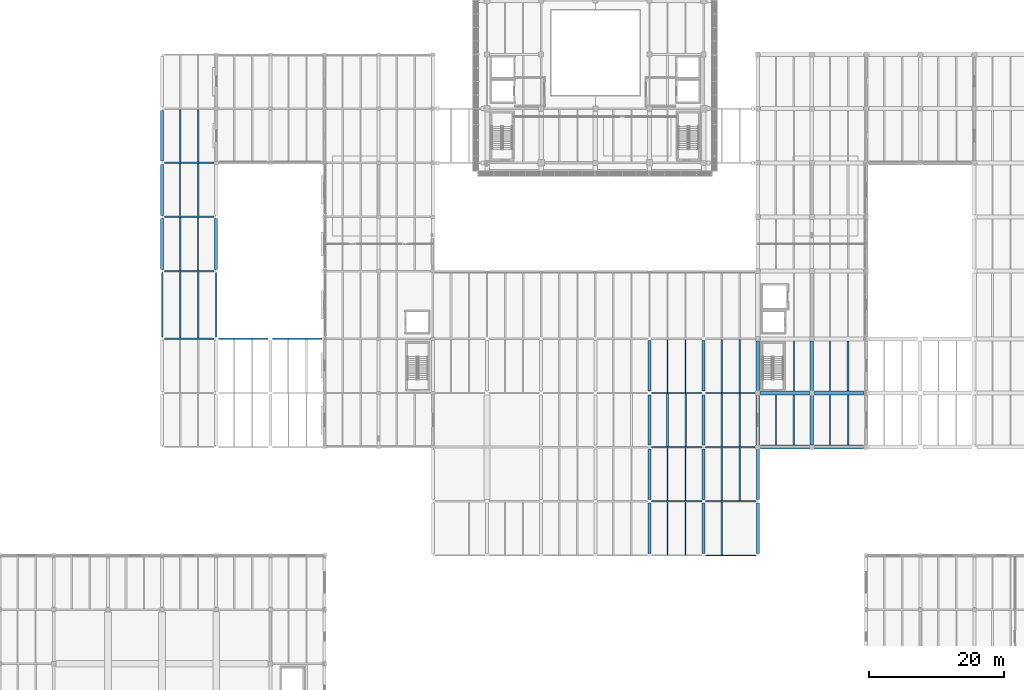
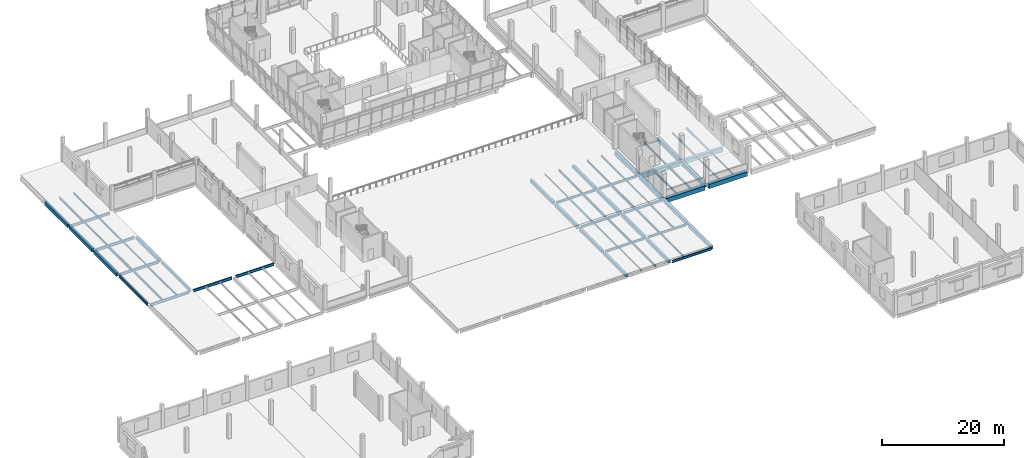
# One storey, part 5 of 52: 67 beams.
"""IFC4 building model written with IfcOpenShell, lengths in metres."""

from ifc_helpers import new_model, si_unit, direction, frame, origin, origin_2d, place, context, subcontext, project, spatial, rectangle, i_section, extrude, material, material_profile, profile_set, type_object, element, save


model = new_model("IFC4")

# Units and contexts
model_context = context("Model", 3, precision=1e-05, world=origin(), true_north=direction((0.0, 1.0)))
body_context = subcontext(model_context, "Body", "Model", "MODEL_VIEW")
ifc_project = project(units=[si_unit("LENGTHUNIT", "METRE"), si_unit("AREAUNIT", "SQUARE_METRE"), si_unit("VOLUMEUNIT", "CUBIC_METRE"), si_unit("PLANEANGLEUNIT", "RADIAN"), si_unit("MASSUNIT", "GRAM", prefix="KILO")], contexts=[model_context])

# Site, building, storey
site_placement = place(None, origin())
site = spatial("IfcSite", under=ifc_project, at=site_placement, CompositionType="ELEMENT")
building_placement = place(site_placement, origin())
building = spatial("IfcBuilding", under=site, at=building_placement, Name="Pecanmere Concourse Central Library", CompositionType="ELEMENT")
storey_placement = place(building_placement, frame((0.0, 0.0, 10.5)))
storey = spatial("IfcBuildingStorey", under=building, at=storey_placement, Name="L03", CompositionType="ELEMENT", Elevation=10.5)

# Beams
ifc_material_1 = material(Name="Concrete C40/50", Category="concrete")
ifc_material_profile_1 = material_profile(ifc_material_1, rectangle(XDim=0.43994140625, YDim=0.6201171875, at=origin_2d()), Name="RC 440x620")
ifc_profile_set_1 = profile_set([ifc_material_profile_1], Name="Concrete C40/50")
beam_type_1 = type_object("IfcBeamType", Name="GRD_440x620", PredefinedType="USERDEFINED", material=ifc_profile_set_1)
for number, where, z_axis, x_axis, name in (
    (1, (24.0, 74.239990234375, -0.64990234375), (0.0, 1.0, 0.0), (-1.0, 0.0, 0.0), "Primary Girder Y L03-1675"),
    (2, (24.0, 82.239990234375, -0.64990234375), (0.0, 1.0, 0.0), (-1.0, 0.0, 0.0), "Primary Girder Y L03-1676"),
    (3, (24.0, 90.239990234375, -0.64990234375), (0.0, 1.0, 0.0), (-1.0, 0.0, 0.0), "Primary Girder Y L03-1677"),
    (4, (32.0, 74.239990234375, -0.64990234375), (0.0, 1.0, 0.0), (-1.0, 0.0, 0.0), "Primary Girder Y L03-1685"),
):
    element("IfcBeam", number, at=place(storey_placement, frame(where, z_axis=z_axis, x_axis=x_axis)), inside=storey, type_object=beam_type_1, Name=name, ObjectType="GIRDER", PredefinedType="USERDEFINED", context=body_context, shape_type="SweptSolid", body=[
        extrude(rectangle(XDim=0.43994140625, YDim=0.6201171875, at=origin_2d()), origin(), (0.0, 0.0, 1.0), 7.52001953125),
    ])
for number, where, z_axis, x_axis, name in (
    (5, (96.0, 32.280029296875, -0.64990234375), (0.0, 1.0, 0.0), (-1.0, 0.0, 0.0), "Primary Girder Y L03-1748"),
    (6, (96.0, 40.280029296875, -0.64990234375), (0.0, 1.0, 0.0), (-1.0, 0.0, 0.0), "Primary Girder Y L03-1749"),
    (7, (96.0, 48.280029296875, -0.64990234375), (0.0, 1.0, 0.0), (-1.0, 0.0, 0.0), "Primary Girder Y L03-1750"),
    (8, (96.0, 56.280029296875, -0.64990234375), (0.0, 1.0, 0.0), (-1.0, 0.0, 0.0), "Primary Girder Y L03-1751"),
    (9, (104.0, 32.280029296875, -0.64990234375), (0.0, 1.0, 0.0), (-1.0, 0.0, 0.0), "Primary Girder Y L03-1757"),
    (10, (104.0, 40.280029296875, -0.64990234375), (0.0, 1.0, 0.0), (-1.0, 0.0, 0.0), "Primary Girder Y L03-1758"),
    (11, (104.0, 48.280029296875, -0.64990234375), (0.0, 1.0, 0.0), (-1.0, 0.0, 0.0), "Primary Girder Y L03-1759"),
    (12, (104.0, 56.280029296875, -0.64990234375), (0.0, 1.0, 0.0), (-1.0, 0.0, 0.0), "Primary Girder Y L03-1760"),
    (13, (112.0, 32.280029296875, -0.64990234375), (0.0, 1.0, 0.0), (-1.0, 0.0, 0.0), "Primary Girder Y L03-1766"),
):
    element("IfcBeam", number, at=place(storey_placement, frame(where, z_axis=z_axis, x_axis=x_axis)), inside=storey, type_object=beam_type_1, Name=name, ObjectType="GIRDER", PredefinedType="USERDEFINED", context=body_context, shape_type="SweptSolid", body=[
        extrude(rectangle(XDim=0.43994140625, YDim=0.6201171875, at=origin_2d()), origin(), (0.0, 0.0, 1.0), 7.43994140625),
    ])
beam_1_placement = place(storey_placement, frame((112.0, 40.280029296875, -0.64990234375), z_axis=(0.0, 1.0, 0.0), x_axis=(-1.0, 0.0, 0.0)))
element("IfcBeam", 14, at=beam_1_placement, inside=storey, type_object=beam_type_1, Name="Primary Girder Y L03-1767", ObjectType="GIRDER", PredefinedType="USERDEFINED", context=body_context, shape_type="SweptSolid", body=[
    extrude(rectangle(XDim=0.43994140625, YDim=0.6201171875, at=origin_2d()), origin(), (0.0, 0.0, 1.0), 7.419921875),
])
ifc_material_2 = material(Name="Concrete C40/50", Category="concrete")
ifc_material_profile_2 = material_profile(ifc_material_2, rectangle(XDim=0.52001953125, YDim=0.77001953125, at=origin_2d()), Name="RC 520x770")
ifc_profile_set_2 = profile_set([ifc_material_profile_2], Name="Concrete C40/50")
beam_type_2 = type_object("IfcBeamType", Name="GRD_520x770", PredefinedType="USERDEFINED", material=ifc_profile_set_2)
for number, where, z_axis, x_axis, name in (
    (15, (112.0, 48.300048828125, -0.72509765625), (0.0, 1.0, 0.0), (-1.0, 0.0, 0.0), "Primary Girder Y L03-1768"),
    (16, (112.0, 56.300048828125, -0.72509765625), (0.0, 1.0, 0.0), (-1.0, 0.0, 0.0), "Primary Girder Y L03-1769"),
    (17, (120.0, 48.300048828125, -0.72509765625), (0.0, 1.0, 0.0), (-1.0, 0.0, 0.0), "Primary Girder Y L03-1775"),
    (18, (120.0, 56.300048828125, -0.72509765625), (0.0, 1.0, 0.0), (-1.0, 0.0, 0.0), "Primary Girder Y L03-1776"),
):
    element("IfcBeam", number, at=place(storey_placement, frame(where, z_axis=z_axis, x_axis=x_axis)), inside=storey, type_object=beam_type_2, Name=name, ObjectType="GIRDER", PredefinedType="USERDEFINED", context=body_context, shape_type="SweptSolid", body=[
        extrude(rectangle(XDim=0.52001953125, YDim=0.77001953125, at=origin_2d()), origin(), (0.0, 0.0, 1.0), 7.39990234375),
    ])
ifc_material_3 = material(Name="Concrete C40/50", Category="concrete")
ifc_material_profile_3 = material_profile(ifc_material_3, rectangle(XDim=0.580078125, YDim=0.860107421875, at=origin_2d()), Name="RC 580x860")
ifc_profile_set_3 = profile_set([ifc_material_profile_3], Name="Concrete C40/50")
beam_type_3 = type_object("IfcBeamType", Name="GRD_580x860", PredefinedType="USERDEFINED", material=ifc_profile_set_3)
for number, where, z_axis, x_axis, name in (
    (19, (112.39990234375, 48.0, -0.77001953125), (1.0, 0.0, 0.0), (0.0, 1.0, 0.0), "Primary Girder X L03-1551"),
    (20, (120.39990234375, 48.0, -0.77001953125), (1.0, 0.0, 0.0), (0.0, 1.0, 0.0), "Primary Girder X L03-1552"),
    (21, (112.39990234375, 56.0, -0.77001953125), (1.0, 0.0, 0.0), (0.0, 1.0, 0.0), "Primary Girder X L03-1567"),
    (22, (120.39990234375, 56.0, -0.77001953125), (1.0, 0.0, 0.0), (0.0, 1.0, 0.0), "Primary Girder X L03-1568"),
):
    element("IfcBeam", number, at=place(storey_placement, frame(where, z_axis=z_axis, x_axis=x_axis)), inside=storey, type_object=beam_type_3, Name=name, ObjectType="GIRDER", PredefinedType="USERDEFINED", context=body_context, shape_type="SweptSolid", body=[
        extrude(rectangle(XDim=0.580078125, YDim=0.860107421875, at=origin_2d()), origin(), (0.0, 0.0, 1.0), 7.2001953125),
    ])
ifc_material_4 = material(Name="Structural steel ASTM A992 Grade 50", Category="steel")
ifc_material_profile_4 = material_profile(ifc_material_4, i_section(OverallWidth=0.152099609375, OverallDepth=0.152099609375, WebThickness=0.005859375, FlangeThickness=0.006591796875, at=origin_2d()), Name="W150x22.5")
ifc_profile_set_4 = profile_set([ifc_material_profile_4], Name="Structural steel ASTM A992 Grade 50")
beam_type_4 = type_object("IfcBeamType", Name="SBM_W150x22", PredefinedType="LINTEL", material=ifc_profile_set_4)
for number, where, z_axis, x_axis, name in (
    (23, (98.666748046875, 32.096923828125, -0.416015625), (0.0, 1.0, 0.0), (-1.0, 0.0, 0.0), "Secondary Floor Joist L03-1978"),
    (24, (98.666748046875, 56.096923828125, -0.416015625), (0.0, 1.0, 0.0), (-1.0, 0.0, 0.0), "Secondary Floor Joist L03-1984"),
):
    element("IfcBeam", number, at=place(storey_placement, frame(where, z_axis=z_axis, x_axis=x_axis)), inside=storey, type_object=beam_type_4, Name=name, PredefinedType="LINTEL", context=body_context, shape_type="SweptSolid", body=[
        extrude(i_section(OverallWidth=0.152099609375, OverallDepth=0.152099609375, WebThickness=0.005859375, FlangeThickness=0.006591796875, at=origin_2d()), origin(), (0.0, 0.0, 1.0), 7.80615234375),
    ])
ifc_material_5 = material(Name="Structural steel ASTM A992 Grade 50", Category="steel")
ifc_material_profile_5 = material_profile(ifc_material_5, i_section(OverallWidth=0.1650390625, OverallDepth=0.200927734375, WebThickness=0.006103515625, FlangeThickness=0.01025390625, at=origin_2d()), Name="W200x35.9")
ifc_profile_set_5 = profile_set([ifc_material_profile_5], Name="Structural steel ASTM A992 Grade 50")
beam_type_5 = type_object("IfcBeamType", Name="SBM_W200x36", PredefinedType="LINTEL", material=ifc_profile_set_5)
beam_2_placement = place(storey_placement, frame((29.333251953125, 74.10546875, -0.4404296875), z_axis=(0.0, 1.0, 0.0), x_axis=(-1.0, 0.0, 0.0)))
element("IfcBeam", 25, at=beam_2_placement, inside=storey, type_object=beam_type_5, Name="Secondary Floor Joist L03-1872", PredefinedType="LINTEL", context=body_context, shape_type="SweptSolid", body=[
    extrude(i_section(OverallWidth=0.1650390625, OverallDepth=0.200927734375, WebThickness=0.006103515625, FlangeThickness=0.01025390625, at=origin_2d()), origin(), (0.0, 0.0, 1.0), 7.7890625),
])
beam_3_placement = place(storey_placement, frame((109.333251953125, 48.096923828125, -0.4404296875), z_axis=(0.0, 1.0, 0.0), x_axis=(-1.0, 0.0, 0.0)))
element("IfcBeam", 26, at=beam_3_placement, inside=storey, type_object=beam_type_5, Name="Secondary Floor Joist L03-1997", PredefinedType="LINTEL", context=body_context, shape_type="SweptSolid", body=[
    extrude(i_section(OverallWidth=0.1650390625, OverallDepth=0.200927734375, WebThickness=0.006103515625, FlangeThickness=0.01025390625, at=origin_2d()), origin(), (0.0, 0.0, 1.0), 7.80615234375),
])
ifc_material_6 = material(Name="Structural steel ASTM A992 Grade 50", Category="steel")
ifc_material_profile_6 = material_profile(ifc_material_6, i_section(OverallWidth=0.2041015625, OverallDepth=0.2060546875, WebThickness=0.0078125, FlangeThickness=0.0126953125, at=origin_2d()), Name="W200x52")
ifc_profile_set_6 = profile_set([ifc_material_profile_6], Name="Structural steel ASTM A992 Grade 50")
beam_type_6 = type_object("IfcBeamType", Name="SBM_W200x52", PredefinedType="JOIST", material=ifc_profile_set_6)
beam_4_placement = place(storey_placement, frame((98.666748046875, 40.096923828125, -0.443115234375), z_axis=(0.0, 1.0, 0.0), x_axis=(-1.0, 0.0, 0.0)))
element("IfcBeam", 27, at=beam_4_placement, inside=storey, type_object=beam_type_6, Name="Secondary Floor Joist L03-1980", PredefinedType="JOIST", context=body_context, shape_type="SweptSolid", body=[
    extrude(i_section(OverallWidth=0.2041015625, OverallDepth=0.2060546875, WebThickness=0.0078125, FlangeThickness=0.0126953125, at=origin_2d()), origin(), (0.0, 0.0, 1.0), 7.80615234375),
])
beam_5_placement = place(storey_placement, frame((125.333251953125, 48.2900390625, -0.443115234375), z_axis=(0.0, 1.0, 0.0), x_axis=(-1.0, 0.0, 0.0)))
element("IfcBeam", 28, at=beam_5_placement, inside=storey, type_object=beam_type_6, Name="Secondary Floor Joist L03-2017", PredefinedType="JOIST", context=body_context, shape_type="SweptSolid", body=[
    extrude(i_section(OverallWidth=0.2041015625, OverallDepth=0.2060546875, WebThickness=0.0078125, FlangeThickness=0.0126953125, at=origin_2d()), origin(), (0.0, 0.0, 1.0), 7.419921875),
])
ifc_material_7 = material(Name="Structural steel ASTM A992 Grade 50", Category="steel")
ifc_material_profile_7 = material_profile(ifc_material_7, i_section(OverallWidth=0.201904296875, OverallDepth=0.2470703125, WebThickness=0.00732421875, FlangeThickness=0.010986328125, at=origin_2d()), Name="W250x49.1")
ifc_profile_set_7 = profile_set([ifc_material_profile_7], Name="Structural steel ASTM A992 Grade 50")
beam_type_7 = type_object("IfcBeamType", Name="SBM_W250x49", PredefinedType="JOIST", material=ifc_profile_set_7)
beam_6_placement = place(storey_placement, frame((29.333251953125, 82.10546875, -0.46337890625), z_axis=(0.0, 1.0, 0.0), x_axis=(-1.0, 0.0, 0.0)))
element("IfcBeam", 29, at=beam_6_placement, inside=storey, type_object=beam_type_7, Name="Secondary Floor Joist L03-1874", PredefinedType="JOIST", context=body_context, shape_type="SweptSolid", body=[
    extrude(i_section(OverallWidth=0.201904296875, OverallDepth=0.2470703125, WebThickness=0.00732421875, FlangeThickness=0.010986328125, at=origin_2d()), origin(), (0.0, 0.0, 1.0), 7.7890625),
])
beam_7_placement = place(storey_placement, frame((109.333251953125, 56.096923828125, -0.46337890625), z_axis=(0.0, 1.0, 0.0), x_axis=(-1.0, 0.0, 0.0)))
element("IfcBeam", 30, at=beam_7_placement, inside=storey, type_object=beam_type_7, Name="Secondary Floor Joist L03-1999", PredefinedType="JOIST", context=body_context, shape_type="SweptSolid", body=[
    extrude(i_section(OverallWidth=0.201904296875, OverallDepth=0.2470703125, WebThickness=0.00732421875, FlangeThickness=0.010986328125, at=origin_2d()), origin(), (0.0, 0.0, 1.0), 7.80615234375),
])
beam_8_placement = place(storey_placement, frame((122.666748046875, 48.2900390625, -0.46337890625), z_axis=(0.0, 1.0, 0.0), x_axis=(-1.0, 0.0, 0.0)))
element("IfcBeam", 31, at=beam_8_placement, inside=storey, type_object=beam_type_7, Name="Secondary Floor Joist L03-2016", PredefinedType="JOIST", context=body_context, shape_type="SweptSolid", body=[
    extrude(i_section(OverallWidth=0.201904296875, OverallDepth=0.2470703125, WebThickness=0.00732421875, FlangeThickness=0.010986328125, at=origin_2d()), origin(), (0.0, 0.0, 1.0), 7.419921875),
])
ifc_material_8 = material(Name="Structural steel ASTM A992 Grade 50", Category="steel")
ifc_material_profile_8 = material_profile(ifc_material_8, i_section(OverallWidth=0.25390625, OverallDepth=0.2529296875, WebThickness=0.008544921875, FlangeThickness=0.01416015625, at=origin_2d()), Name="W250x73")
ifc_profile_set_8 = profile_set([ifc_material_profile_8], Name="Structural steel ASTM A992 Grade 50")
beam_type_8 = type_object("IfcBeamType", Name="SBM_W250x73", PredefinedType="BEAM", material=ifc_profile_set_8)
beam_9_placement = place(storey_placement, frame((98.666748046875, 48.096923828125, -0.466552734375), z_axis=(0.0, 1.0, 0.0), x_axis=(-1.0, 0.0, 0.0)))
element("IfcBeam", 32, at=beam_9_placement, inside=storey, type_object=beam_type_8, Name="Secondary Floor Joist L03-1982", PredefinedType="BEAM", context=body_context, shape_type="SweptSolid", body=[
    extrude(i_section(OverallWidth=0.25390625, OverallDepth=0.2529296875, WebThickness=0.008544921875, FlangeThickness=0.01416015625, at=origin_2d()), origin(), (0.0, 0.0, 1.0), 7.80615234375),
])
beam_10_placement = place(storey_placement, frame((125.333251953125, 56.2900390625, -0.466552734375), z_axis=(0.0, 1.0, 0.0), x_axis=(-1.0, 0.0, 0.0)))
element("IfcBeam", 33, at=beam_10_placement, inside=storey, type_object=beam_type_8, Name="Secondary Floor Joist L03-2019", PredefinedType="BEAM", context=body_context, shape_type="SweptSolid", body=[
    extrude(i_section(OverallWidth=0.25390625, OverallDepth=0.2529296875, WebThickness=0.008544921875, FlangeThickness=0.01416015625, at=origin_2d()), origin(), (0.0, 0.0, 1.0), 7.419921875),
])
ifc_material_9 = material(Name="Structural steel ASTM A992 Grade 50", Category="steel")
ifc_material_profile_9 = material_profile(ifc_material_9, i_section(OverallWidth=0.1669921875, OverallDepth=0.31689453125, WebThickness=0.007568359375, FlangeThickness=0.01318359375, at=origin_2d()), Name="W310x52")
ifc_profile_set_9 = profile_set([ifc_material_profile_9], Name="Structural steel ASTM A992 Grade 50")
beam_type_9 = type_object("IfcBeamType", Name="SBM_W310x52", PredefinedType="JOIST", material=ifc_profile_set_9)
beam_11_placement = place(storey_placement, frame((26.666748046875, 82.10546875, -0.49853515625), z_axis=(0.0, 1.0, 0.0), x_axis=(-1.0, 0.0, 0.0)))
element("IfcBeam", 34, at=beam_11_placement, inside=storey, type_object=beam_type_9, Name="Secondary Floor Joist L03-1873", PredefinedType="JOIST", context=body_context, shape_type="SweptSolid", body=[
    extrude(i_section(OverallWidth=0.1669921875, OverallDepth=0.31689453125, WebThickness=0.007568359375, FlangeThickness=0.01318359375, at=origin_2d()), origin(), (0.0, 0.0, 1.0), 7.7890625),
])
for number, where, z_axis, x_axis, name in (
    (35, (106.666748046875, 32.096923828125, -0.49853515625), (0.0, 1.0, 0.0), (-1.0, 0.0, 0.0), "Secondary Floor Joist L03-1993"),
    (36, (106.666748046875, 56.096923828125, -0.49853515625), (0.0, 1.0, 0.0), (-1.0, 0.0, 0.0), "Secondary Floor Joist L03-1998"),
):
    element("IfcBeam", number, at=place(storey_placement, frame(where, z_axis=z_axis, x_axis=x_axis)), inside=storey, type_object=beam_type_9, Name=name, PredefinedType="JOIST", context=body_context, shape_type="SweptSolid", body=[
        extrude(i_section(OverallWidth=0.1669921875, OverallDepth=0.31689453125, WebThickness=0.007568359375, FlangeThickness=0.01318359375, at=origin_2d()), origin(), (0.0, 0.0, 1.0), 7.80615234375),
    ])
ifc_material_10 = material(Name="Structural steel ASTM A992 Grade 50", Category="steel")
ifc_material_profile_10 = material_profile(ifc_material_10, i_section(OverallWidth=0.205078125, OverallDepth=0.31005859375, WebThickness=0.009521484375, FlangeThickness=0.016357421875, at=origin_2d()), Name="W310x74")
ifc_profile_set_10 = profile_set([ifc_material_profile_10], Name="Structural steel ASTM A992 Grade 50")
beam_type_10 = type_object("IfcBeamType", Name="SBM_W310x74", PredefinedType="BEAM", material=ifc_profile_set_10)
beam_12_placement = place(storey_placement, frame((29.333251953125, 64.10546875, -0.4951171875), z_axis=(0.0, 1.0, 0.0), x_axis=(-1.0, 0.0, 0.0)))
element("IfcBeam", 37, at=beam_12_placement, inside=storey, type_object=beam_type_10, Name="Secondary Floor Joist L03-1870", PredefinedType="BEAM", context=body_context, shape_type="SweptSolid", body=[
    extrude(i_section(OverallWidth=0.205078125, OverallDepth=0.31005859375, WebThickness=0.009521484375, FlangeThickness=0.016357421875, at=origin_2d()), origin(), (0.0, 0.0, 1.0), 9.7890625),
])
beam_13_placement = place(storey_placement, frame((29.333251953125, 90.10546875, -0.4951171875), z_axis=(0.0, 1.0, 0.0), x_axis=(-1.0, 0.0, 0.0)))
element("IfcBeam", 38, at=beam_13_placement, inside=storey, type_object=beam_type_10, Name="Secondary Floor Joist L03-1876", PredefinedType="BEAM", context=body_context, shape_type="SweptSolid", body=[
    extrude(i_section(OverallWidth=0.205078125, OverallDepth=0.31005859375, WebThickness=0.009521484375, FlangeThickness=0.016357421875, at=origin_2d()), origin(), (0.0, 0.0, 1.0), 7.7890625),
])
beam_14_placement = place(storey_placement, frame((109.333251953125, 40.096923828125, -0.4951171875), z_axis=(0.0, 1.0, 0.0), x_axis=(-1.0, 0.0, 0.0)))
element("IfcBeam", 39, at=beam_14_placement, inside=storey, type_object=beam_type_10, Name="Secondary Floor Joist L03-1995", PredefinedType="BEAM", context=body_context, shape_type="SweptSolid", body=[
    extrude(i_section(OverallWidth=0.205078125, OverallDepth=0.31005859375, WebThickness=0.009521484375, FlangeThickness=0.016357421875, at=origin_2d()), origin(), (0.0, 0.0, 1.0), 7.80615234375),
])
beam_15_placement = place(storey_placement, frame((122.666748046875, 56.2900390625, -0.4951171875), z_axis=(0.0, 1.0, 0.0), x_axis=(-1.0, 0.0, 0.0)))
element("IfcBeam", 40, at=beam_15_placement, inside=storey, type_object=beam_type_10, Name="Secondary Floor Joist L03-2018", PredefinedType="BEAM", context=body_context, shape_type="SweptSolid", body=[
    extrude(i_section(OverallWidth=0.205078125, OverallDepth=0.31005859375, WebThickness=0.009521484375, FlangeThickness=0.016357421875, at=origin_2d()), origin(), (0.0, 0.0, 1.0), 7.419921875),
])
ifc_material_11 = material(Name="Structural steel ASTM A992 Grade 50", Category="steel")
ifc_material_profile_11 = material_profile(ifc_material_11, i_section(OverallWidth=0.202880859375, OverallDepth=0.346923828125, WebThickness=0.0078125, FlangeThickness=0.013427734375, at=origin_2d()), Name="W360x64")
ifc_profile_set_11 = profile_set([ifc_material_profile_11], Name="Structural steel ASTM A992 Grade 50")
beam_type_11 = type_object("IfcBeamType", Name="SBM_W360x64", PredefinedType="JOIST", material=ifc_profile_set_11)
beam_16_placement = place(storey_placement, frame((117.333251953125, 48.2900390625, -0.513427734375), z_axis=(0.0, 1.0, 0.0), x_axis=(-1.0, 0.0, 0.0)))
element("IfcBeam", 41, at=beam_16_placement, inside=storey, type_object=beam_type_11, Name="Secondary Floor Joist L03-2005", PredefinedType="JOIST", context=body_context, shape_type="SweptSolid", body=[
    extrude(i_section(OverallWidth=0.202880859375, OverallDepth=0.346923828125, WebThickness=0.0078125, FlangeThickness=0.013427734375, at=origin_2d()), origin(), (0.0, 0.0, 1.0), 7.419921875),
])
ifc_material_12 = material(Name="Structural steel ASTM A992 Grade 50", Category="steel")
ifc_material_profile_12 = material_profile(ifc_material_12, i_section(OverallWidth=0.25390625, OverallDepth=0.35302734375, WebThickness=0.009521484375, FlangeThickness=0.016357421875, at=origin_2d()), Name="W360x91")
ifc_profile_set_12 = profile_set([ifc_material_profile_12], Name="Structural steel ASTM A992 Grade 50")
beam_type_12 = type_object("IfcBeamType", Name="SBM_W360x91", PredefinedType="BEAM", material=ifc_profile_set_12)
beam_17_placement = place(storey_placement, frame((26.666748046875, 64.10546875, -0.5166015625), z_axis=(0.0, 1.0, 0.0), x_axis=(-1.0, 0.0, 0.0)))
element("IfcBeam", 42, at=beam_17_placement, inside=storey, type_object=beam_type_12, Name="Secondary Floor Joist L03-1869", PredefinedType="BEAM", context=body_context, shape_type="SweptSolid", body=[
    extrude(i_section(OverallWidth=0.25390625, OverallDepth=0.35302734375, WebThickness=0.009521484375, FlangeThickness=0.016357421875, at=origin_2d()), origin(), (0.0, 0.0, 1.0), 9.7890625),
])
beam_18_placement = place(storey_placement, frame((26.666748046875, 90.10546875, -0.5166015625), z_axis=(0.0, 1.0, 0.0), x_axis=(-1.0, 0.0, 0.0)))
element("IfcBeam", 43, at=beam_18_placement, inside=storey, type_object=beam_type_12, Name="Secondary Floor Joist L03-1875", PredefinedType="BEAM", context=body_context, shape_type="SweptSolid", body=[
    extrude(i_section(OverallWidth=0.25390625, OverallDepth=0.35302734375, WebThickness=0.009521484375, FlangeThickness=0.016357421875, at=origin_2d()), origin(), (0.0, 0.0, 1.0), 7.7890625),
])
beam_19_placement = place(storey_placement, frame((106.666748046875, 40.096923828125, -0.5166015625), z_axis=(0.0, 1.0, 0.0), x_axis=(-1.0, 0.0, 0.0)))
element("IfcBeam", 44, at=beam_19_placement, inside=storey, type_object=beam_type_12, Name="Secondary Floor Joist L03-1994", PredefinedType="BEAM", context=body_context, shape_type="SweptSolid", body=[
    extrude(i_section(OverallWidth=0.25390625, OverallDepth=0.35302734375, WebThickness=0.009521484375, FlangeThickness=0.016357421875, at=origin_2d()), origin(), (0.0, 0.0, 1.0), 7.80615234375),
])
ifc_material_13 = material(Name="Structural steel ASTM A992 Grade 50", Category="steel")
ifc_material_profile_13 = material_profile(ifc_material_13, i_section(OverallWidth=0.177978515625, OverallDepth=0.406982421875, WebThickness=0.0078125, FlangeThickness=0.0126953125, at=origin_2d()), Name="W410x60")
ifc_profile_set_13 = profile_set([ifc_material_profile_13], Name="Structural steel ASTM A992 Grade 50")
beam_type_13 = type_object("IfcBeamType", Name="SBM_W410x60", PredefinedType="JOIST", material=ifc_profile_set_13)
for number, where, z_axis, x_axis, name in (
    (45, (101.333251953125, 32.096923828125, -0.54345703125), (0.0, 1.0, 0.0), (-1.0, 0.0, 0.0), "Secondary Floor Joist L03-1979"),
    (46, (101.333251953125, 56.096923828125, -0.54345703125), (0.0, 1.0, 0.0), (-1.0, 0.0, 0.0), "Secondary Floor Joist L03-1985"),
):
    element("IfcBeam", number, at=place(storey_placement, frame(where, z_axis=z_axis, x_axis=x_axis)), inside=storey, type_object=beam_type_13, Name=name, PredefinedType="JOIST", context=body_context, shape_type="SweptSolid", body=[
        extrude(i_section(OverallWidth=0.177978515625, OverallDepth=0.406982421875, WebThickness=0.0078125, FlangeThickness=0.0126953125, at=origin_2d()), origin(), (0.0, 0.0, 1.0), 7.80615234375),
    ])
beam_20_placement = place(storey_placement, frame((114.666748046875, 48.2900390625, -0.54345703125), z_axis=(0.0, 1.0, 0.0), x_axis=(-1.0, 0.0, 0.0)))
element("IfcBeam", 47, at=beam_20_placement, inside=storey, type_object=beam_type_13, Name="Secondary Floor Joist L03-2004", PredefinedType="JOIST", context=body_context, shape_type="SweptSolid", body=[
    extrude(i_section(OverallWidth=0.177978515625, OverallDepth=0.406982421875, WebThickness=0.0078125, FlangeThickness=0.0126953125, at=origin_2d()), origin(), (0.0, 0.0, 1.0), 7.419921875),
])
ifc_material_14 = material(Name="Structural steel ASTM A992 Grade 50", Category="steel")
ifc_material_profile_14 = material_profile(ifc_material_14, i_section(OverallWidth=0.180908203125, OverallDepth=0.4169921875, WebThickness=0.010986328125, FlangeThickness=0.018310546875, at=origin_2d()), Name="W410x85")
ifc_profile_set_14 = profile_set([ifc_material_profile_14], Name="Structural steel ASTM A992 Grade 50")
beam_type_14 = type_object("IfcBeamType", Name="SBM_W410x85", PredefinedType="BEAM", material=ifc_profile_set_14)
beam_21_placement = place(storey_placement, frame((117.333251953125, 56.2900390625, -0.548583984375), z_axis=(0.0, 1.0, 0.0), x_axis=(-1.0, 0.0, 0.0)))
element("IfcBeam", 48, at=beam_21_placement, inside=storey, type_object=beam_type_14, Name="Secondary Floor Joist L03-2006", PredefinedType="BEAM", context=body_context, shape_type="SweptSolid", body=[
    extrude(i_section(OverallWidth=0.180908203125, OverallDepth=0.4169921875, WebThickness=0.010986328125, FlangeThickness=0.018310546875, at=origin_2d()), origin(), (0.0, 0.0, 1.0), 7.419921875),
])
ifc_material_15 = material(Name="Structural steel ASTM A992 Grade 50", Category="steel")
ifc_material_profile_15 = material_profile(ifc_material_15, i_section(OverallWidth=0.194091796875, OverallDepth=0.468994140625, WebThickness=0.0126953125, FlangeThickness=0.0205078125, at=origin_2d()), Name="W460x106")
ifc_profile_set_15 = profile_set([ifc_material_profile_15], Name="Structural steel ASTM A992 Grade 50")
beam_type_15 = type_object("IfcBeamType", Name="SBM_W460x106", PredefinedType="USERDEFINED", material=ifc_profile_set_15)
for number, where, z_axis, x_axis, name in (
    (49, (104.280029296875, 32.0, -0.574462890625), (1.0, 0.0, 0.0), (0.0, 1.0, 0.0), "Primary Girder X L03-1528"),
    (50, (96.280029296875, 40.0, -0.574462890625), (1.0, 0.0, 0.0), (0.0, 1.0, 0.0), "Primary Girder X L03-1539"),
    (51, (104.280029296875, 40.0, -0.574462890625), (1.0, 0.0, 0.0), (0.0, 1.0, 0.0), "Primary Girder X L03-1540"),
    (52, (96.280029296875, 48.0, -0.574462890625), (1.0, 0.0, 0.0), (0.0, 1.0, 0.0), "Primary Girder X L03-1549"),
):
    element("IfcBeam", number, at=place(storey_placement, frame(where, z_axis=z_axis, x_axis=x_axis)), inside=storey, type_object=beam_type_15, Name=name, ObjectType="GIRDER", PredefinedType="USERDEFINED", context=body_context, shape_type="SweptSolid", body=[
        extrude(i_section(OverallWidth=0.194091796875, OverallDepth=0.468994140625, WebThickness=0.0126953125, FlangeThickness=0.0205078125, at=origin_2d()), origin(), (0.0, 0.0, 1.0), 7.43994140625),
    ])
beam_22_placement = place(storey_placement, frame((104.280029296875, 48.0, -0.574462890625), z_axis=(1.0, 0.0, 0.0), x_axis=(0.0, 1.0, 0.0)))
element("IfcBeam", 53, at=beam_22_placement, inside=storey, type_object=beam_type_15, Name="Primary Girder X L03-1550", ObjectType="GIRDER", PredefinedType="USERDEFINED", context=body_context, shape_type="SweptSolid", body=[
    extrude(i_section(OverallWidth=0.194091796875, OverallDepth=0.468994140625, WebThickness=0.0126953125, FlangeThickness=0.0205078125, at=origin_2d()), origin(), (0.0, 0.0, 1.0), 7.320068359375),
])
beam_23_placement = place(storey_placement, frame((96.280029296875, 56.0, -0.574462890625), z_axis=(1.0, 0.0, 0.0), x_axis=(0.0, 1.0, 0.0)))
element("IfcBeam", 54, at=beam_23_placement, inside=storey, type_object=beam_type_15, Name="Primary Girder X L03-1565", ObjectType="GIRDER", PredefinedType="USERDEFINED", context=body_context, shape_type="SweptSolid", body=[
    extrude(i_section(OverallWidth=0.194091796875, OverallDepth=0.468994140625, WebThickness=0.0126953125, FlangeThickness=0.0205078125, at=origin_2d()), origin(), (0.0, 0.0, 1.0), 7.43994140625),
])
beam_24_placement = place(storey_placement, frame((104.280029296875, 56.0, -0.574462890625), z_axis=(1.0, 0.0, 0.0), x_axis=(0.0, 1.0, 0.0)))
element("IfcBeam", 55, at=beam_24_placement, inside=storey, type_object=beam_type_15, Name="Primary Girder X L03-1566", ObjectType="GIRDER", PredefinedType="USERDEFINED", context=body_context, shape_type="SweptSolid", body=[
    extrude(i_section(OverallWidth=0.194091796875, OverallDepth=0.468994140625, WebThickness=0.0126953125, FlangeThickness=0.0205078125, at=origin_2d()), origin(), (0.0, 0.0, 1.0), 7.320068359375),
])
ifc_material_16 = material(Name="Structural steel ASTM A992 Grade 50", Category="steel")
ifc_material_profile_16 = material_profile(ifc_material_16, i_section(OverallWidth=0.18994140625, OverallDepth=0.45703125, WebThickness=0.009033203125, FlangeThickness=0.014404296875, at=origin_2d()), Name="W460x74")
ifc_profile_set_16 = profile_set([ifc_material_profile_16], Name="Structural steel ASTM A992 Grade 50")
beam_type_16 = type_object("IfcBeamType", Name="SBM_W460x74", PredefinedType="BEAM", material=ifc_profile_set_16)
beam_25_placement = place(storey_placement, frame((101.333251953125, 40.096923828125, -0.568603515625), z_axis=(0.0, 1.0, 0.0), x_axis=(-1.0, 0.0, 0.0)))
element("IfcBeam", 56, at=beam_25_placement, inside=storey, type_object=beam_type_16, Name="Secondary Floor Joist L03-1981", PredefinedType="BEAM", context=body_context, shape_type="SweptSolid", body=[
    extrude(i_section(OverallWidth=0.18994140625, OverallDepth=0.45703125, WebThickness=0.009033203125, FlangeThickness=0.014404296875, at=origin_2d()), origin(), (0.0, 0.0, 1.0), 7.80615234375),
])
ifc_material_17 = material(Name="Structural steel ASTM A992 Grade 50", Category="steel")
ifc_material_profile_17 = material_profile(ifc_material_17, i_section(OverallWidth=0.2109375, OverallDepth=0.5390625, WebThickness=0.01171875, FlangeThickness=0.018798828125, at=origin_2d()), Name="W530x109")
ifc_profile_set_17 = profile_set([ifc_material_profile_17], Name="Structural steel ASTM A992 Grade 50")
beam_type_17 = type_object("IfcBeamType", Name="SBM_W530x109", PredefinedType="USERDEFINED", material=ifc_profile_set_17)
for number, where, z_axis, x_axis, name in (
    (57, (24.340087890625, 64.0, -0.609619140625), (1.0, 0.0, 0.0), (0.0, 1.0, 0.0), "Primary Girder X L03-1572"),
    (58, (32.340087890625, 64.0, -0.609619140625), (1.0, 0.0, 0.0), (0.0, 1.0, 0.0), "Primary Girder X L03-1573"),
    (59, (40.340087890625, 64.0, -0.609619140625), (1.0, 0.0, 0.0), (0.0, 1.0, 0.0), "Primary Girder X L03-1574"),
    (60, (24.340087890625, 74.0, -0.609619140625), (1.0, 0.0, 0.0), (0.0, 1.0, 0.0), "Primary Girder X L03-1588"),
    (61, (24.340087890625, 82.0, -0.609619140625), (1.0, 0.0, 0.0), (0.0, 1.0, 0.0), "Primary Girder X L03-1600"),
    (62, (24.340087890625, 90.0, -0.609619140625), (1.0, 0.0, 0.0), (0.0, 1.0, 0.0), "Primary Girder X L03-1606"),
):
    element("IfcBeam", number, at=place(storey_placement, frame(where, z_axis=z_axis, x_axis=x_axis)), inside=storey, type_object=beam_type_17, Name=name, ObjectType="GIRDER", PredefinedType="USERDEFINED", context=body_context, shape_type="SweptSolid", body=[
        extrude(i_section(OverallWidth=0.2109375, OverallDepth=0.5390625, WebThickness=0.01171875, FlangeThickness=0.018798828125, at=origin_2d()), origin(), (0.0, 0.0, 1.0), 7.31982421875),
    ])
for number, where, z_axis, x_axis, name in (
    (63, (24.0, 64.239990234375, -0.609619140625), (0.0, 1.0, 0.0), (-1.0, 0.0, 0.0), "Primary Girder Y L03-1674"),
    (64, (32.0, 64.239990234375, -0.609619140625), (0.0, 1.0, 0.0), (-1.0, 0.0, 0.0), "Primary Girder Y L03-1684"),
):
    element("IfcBeam", number, at=place(storey_placement, frame(where, z_axis=z_axis, x_axis=x_axis)), inside=storey, type_object=beam_type_17, Name=name, ObjectType="GIRDER", PredefinedType="USERDEFINED", context=body_context, shape_type="SweptSolid", body=[
        extrude(i_section(OverallWidth=0.2109375, OverallDepth=0.5390625, WebThickness=0.01171875, FlangeThickness=0.018798828125, at=origin_2d()), origin(), (0.0, 0.0, 1.0), 9.52001953125),
    ])
beam_26_placement = place(storey_placement, frame((26.666748046875, 74.10546875, -0.609619140625), z_axis=(0.0, 1.0, 0.0), x_axis=(-1.0, 0.0, 0.0)))
element("IfcBeam", 65, at=beam_26_placement, inside=storey, type_object=beam_type_17, Name="Secondary Floor Joist L03-1871", ObjectType="GIRDER", PredefinedType="USERDEFINED", context=body_context, shape_type="SweptSolid", body=[
    extrude(i_section(OverallWidth=0.2109375, OverallDepth=0.5390625, WebThickness=0.01171875, FlangeThickness=0.018798828125, at=origin_2d()), origin(), (0.0, 0.0, 1.0), 7.7890625),
])
beam_27_placement = place(storey_placement, frame((106.666748046875, 48.096923828125, -0.609619140625), z_axis=(0.0, 1.0, 0.0), x_axis=(-1.0, 0.0, 0.0)))
element("IfcBeam", 66, at=beam_27_placement, inside=storey, type_object=beam_type_17, Name="Secondary Floor Joist L03-1996", ObjectType="GIRDER", PredefinedType="USERDEFINED", context=body_context, shape_type="SweptSolid", body=[
    extrude(i_section(OverallWidth=0.2109375, OverallDepth=0.5390625, WebThickness=0.01171875, FlangeThickness=0.018798828125, at=origin_2d()), origin(), (0.0, 0.0, 1.0), 7.80615234375),
])
ifc_material_18 = material(Name="Structural steel ASTM A992 Grade 50", Category="steel")
ifc_material_profile_18 = material_profile(ifc_material_18, i_section(OverallWidth=0.208984375, OverallDepth=0.532958984375, WebThickness=0.01025390625, FlangeThickness=0.015625, at=origin_2d()), Name="W530x92")
ifc_profile_set_18 = profile_set([ifc_material_profile_18], Name="Structural steel ASTM A992 Grade 50")
beam_type_18 = type_object("IfcBeamType", Name="SBM_W530x92", PredefinedType="BEAM", material=ifc_profile_set_18)
beam_28_placement = place(storey_placement, frame((101.333251953125, 48.096923828125, -0.6064453125), z_axis=(0.0, 1.0, 0.0), x_axis=(-1.0, 0.0, 0.0)))
element("IfcBeam", 67, at=beam_28_placement, inside=storey, type_object=beam_type_18, Name="Secondary Floor Joist L03-1983", PredefinedType="BEAM", context=body_context, shape_type="SweptSolid", body=[
    extrude(i_section(OverallWidth=0.208984375, OverallDepth=0.532958984375, WebThickness=0.01025390625, FlangeThickness=0.015625, at=origin_2d()), origin(), (0.0, 0.0, 1.0), 7.80615234375),
])

save(model, "model.ifc")
